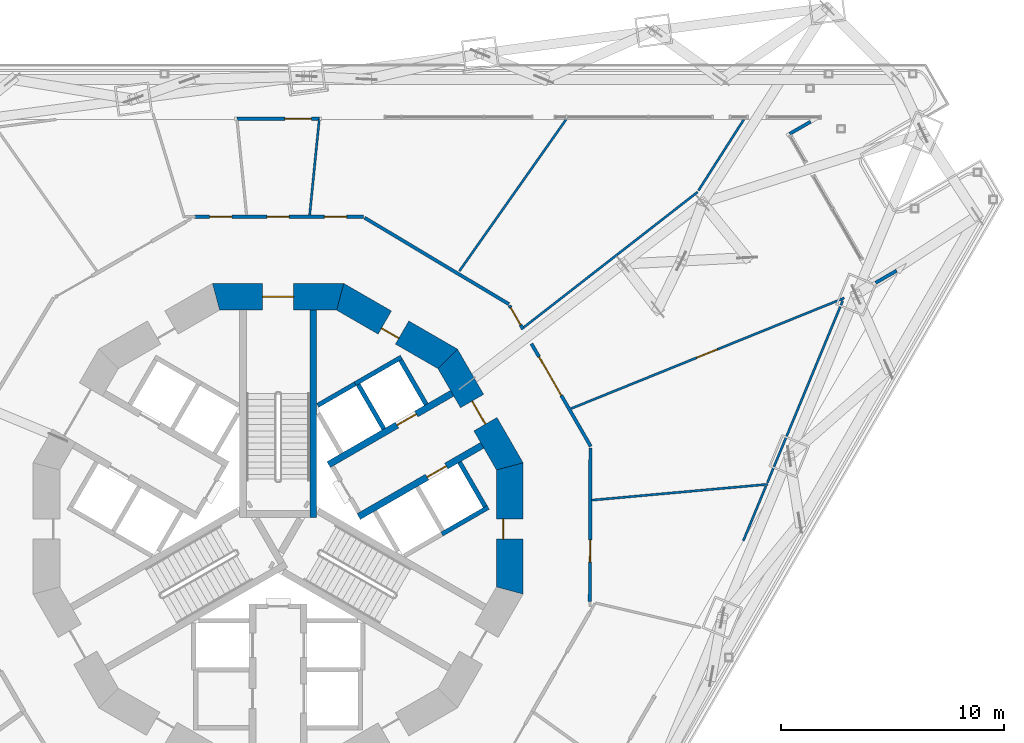
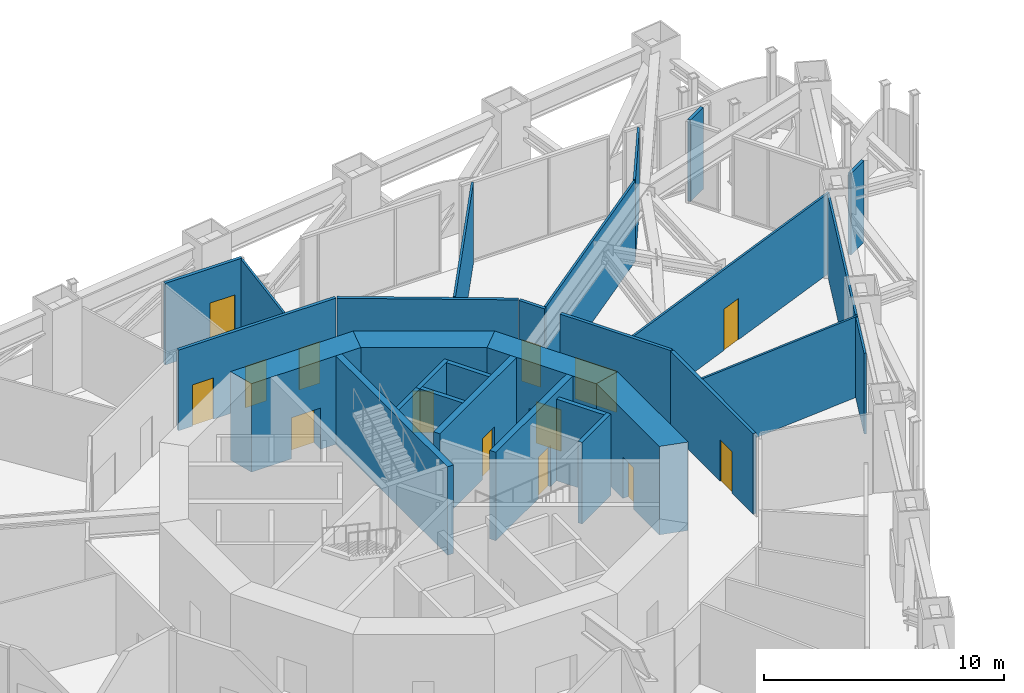
# One storey, part 16 of 28: 29 walls, 14 doors, 14 openings.
"""IFC4 building model written with IfcOpenShell, lengths in metres."""

from ifc_helpers import new_model, si_unit, direction, frame, frame_2d, origin, place, context, subcontext, project, spatial, polyline, rectangle, outline, extrude, material, layer, layer_set, type_object, element, fill, save


model = new_model("IFC4")

# Units and contexts
model_context = context("Model", 3, precision=1e-05, world=origin(), true_north=direction((0.0, 1.0)))
body_context = subcontext(model_context, "Body", "Model", "MODEL_VIEW")
ifc_project = project(units=[si_unit("LENGTHUNIT", "METRE"), si_unit("AREAUNIT", "SQUARE_METRE"), si_unit("VOLUMEUNIT", "CUBIC_METRE"), si_unit("PLANEANGLEUNIT", "RADIAN"), si_unit("MASSUNIT", "GRAM", prefix="KILO")], contexts=[model_context])

# Site, building, storey
site_placement = place(None, origin())
site = spatial("IfcSite", under=ifc_project, at=site_placement, CompositionType="ELEMENT")
building_placement = place(site_placement, origin())
building = spatial("IfcBuilding", under=site, at=building_placement, Name="Trine Commons Tower", CompositionType="ELEMENT")
storey_placement = place(building_placement, frame((0.0, 0.0, 45.89990234375)))
storey = spatial("IfcBuildingStorey", under=building, at=storey_placement, Name="L10", CompositionType="ELEMENT", Elevation=45.89990234375)

# Wall, openings, doors
ifc_material_1 = material(Name="Plasterboard on steel stud", Category="steel")
ifc_layer_1 = layer(ifc_material_1, 0.14990234375)
ifc_layer_set_1 = layer_set([ifc_layer_1], Name="Plasterboard on steel stud")
wall_type_1 = type_object("IfcWallType", Name="Compartment wall 150 mm, EI 60", PredefinedType="PARTITIONING", material=ifc_layer_set_1)
wall_1_placement = place(storey_placement, frame((76.24560546875, 76.511474609375, 0.0), z_axis=(0.0, 0.0, 1.0), x_axis=(1.0, 0.0, 0.0)))
wall_1 = element("IfcWall", 1, at=wall_1_placement, inside=storey, type_object=wall_type_1, Name="Partition A10033", PredefinedType="PARTITIONING", context=body_context, shape_type="SweptSolid", body=[
    extrude(rectangle(XDim=7.583740234375, YDim=0.14990234375, at=frame_2d((3.7919921875, 0.0))), origin(), (0.0, 0.0, 1.0), 4.10009765625),
])
opening_1_placement = place(wall_1_placement, frame((0.67236328125, 0.0, 0.0)))
opening_1 = element("IfcOpeningElement", 2, at=opening_1_placement, cuts=wall_1, Name="Opening D-A1009", PredefinedType="OPENING", context=body_context, shape_type="SweptSolid", body=[
    extrude(rectangle(XDim=1.0, YDim=2.10009765625, at=frame_2d((0.5, 1.050048828125))), frame((0.0, 0.0849609375, 0.0), z_axis=(0.0, -1.0, 0.0), x_axis=(1.0, 0.0, 0.0)), (0.0, 0.0, 1.0), 0.169921875),
])
opening_2_placement = place(wall_1_placement, frame((3.254150390625, 0.0, 0.0)))
opening_2 = element("IfcOpeningElement", 3, at=opening_2_placement, cuts=wall_1, Name="Opening D-A1010", PredefinedType="OPENING", context=body_context, shape_type="SweptSolid", body=[
    extrude(rectangle(XDim=1.0, YDim=2.10009765625, at=frame_2d((0.5, 1.050048828125))), frame((0.0, 0.0849609375, 0.0), z_axis=(0.0, -1.0, 0.0), x_axis=(1.0, 0.0, 0.0)), (0.0, 0.0, 1.0), 0.169921875),
])
opening_3_placement = place(wall_1_placement, frame((5.836181640625, 0.0, 0.0)))
opening_3 = element("IfcOpeningElement", 4, at=opening_3_placement, cuts=wall_1, Name="Opening D-A1011", PredefinedType="OPENING", context=body_context, shape_type="SweptSolid", body=[
    extrude(rectangle(XDim=1.0, YDim=2.10009765625, at=frame_2d((0.5, 1.050048828125))), frame((0.0, 0.0849609375, 0.0), z_axis=(0.0, -1.0, 0.0), x_axis=(1.0, 0.0, 0.0)), (0.0, 0.0, 1.0), 0.169921875),
])
ifc_material_2 = material(Name="Timber fire door set", Category="wood")
door_type_1 = type_object("IfcDoorType", Name="Single swing door 1000x2100, FD30S", OperationType="SINGLE_SWING_LEFT", PredefinedType="DOOR", material=ifc_material_2)
door_1_placement = place(opening_1_placement, origin())
door_1 = element("IfcDoor", 5, at=door_1_placement, inside=storey, type_object=door_type_1, Name="Door D-A1009", OperationType="SINGLE_SWING_LEFT", OverallHeight=2.10009765625, OverallWidth=1.0, PredefinedType="DOOR", context=body_context, shape_type="SweptSolid", body=[
    extrude(rectangle(XDim=1.0, YDim=2.10009765625, at=frame_2d((0.5, 1.050048828125))), frame((0.0, 0.02490234375, 0.0), z_axis=(0.0, -1.0, 0.0), x_axis=(1.0, 0.0, 0.0)), (0.0, 0.0, 1.0), 0.050048828125),
])
fill(opening_1, door_1)
door_2_placement = place(opening_2_placement, origin())
door_2 = element("IfcDoor", 6, at=door_2_placement, inside=storey, type_object=door_type_1, Name="Door D-A1010", OperationType="SINGLE_SWING_LEFT", OverallHeight=2.10009765625, OverallWidth=1.0, PredefinedType="DOOR", context=body_context, shape_type="SweptSolid", body=[
    extrude(rectangle(XDim=1.0, YDim=2.10009765625, at=frame_2d((0.5, 1.050048828125))), frame((0.0, 0.02490234375, 0.0), z_axis=(0.0, -1.0, 0.0), x_axis=(1.0, 0.0, 0.0)), (0.0, 0.0, 1.0), 0.050048828125),
])
fill(opening_2, door_2)
door_3_placement = place(opening_3_placement, origin())
door_3 = element("IfcDoor", 7, at=door_3_placement, inside=storey, type_object=door_type_1, Name="Door D-A1011", OperationType="SINGLE_SWING_LEFT", OverallHeight=2.10009765625, OverallWidth=1.0, PredefinedType="DOOR", context=body_context, shape_type="SweptSolid", body=[
    extrude(rectangle(XDim=1.0, YDim=2.10009765625, at=frame_2d((0.5, 1.050048828125))), frame((0.0, 0.02490234375, 0.0), z_axis=(0.0, -1.0, 0.0), x_axis=(1.0, 0.0, 0.0)), (0.0, 0.0, 1.0), 0.050048828125),
])
fill(opening_3, door_3)

# Wall
wall_2_placement = place(storey_placement, frame((83.883056640625, 76.466552734375, 0.0), z_axis=(0.0, 0.0, 1.0), x_axis=(0.857959606998, -0.513717152488, 0.0)))
element("IfcWall", 8, at=wall_2_placement, inside=storey, type_object=wall_type_1, Name="Partition A10044", PredefinedType="PARTITIONING", context=body_context, shape_type="SweptSolid", body=[
    extrude(rectangle(XDim=7.564453125, YDim=0.14990234375, at=frame_2d((3.7822265625, 0.0))), origin(), (0.0, 0.0, 1.0), 4.10009765625),
])

# Wall, opening, door
wall_3_placement = place(storey_placement, frame((91.01025390625, 71.452880859375, 0.0), z_axis=(0.0, 0.0, 1.0), x_axis=(-0.500015484165, 0.866016463813, 0.0)))
wall_3 = element("IfcWall", 9, at=wall_3_placement, inside=storey, type_object=wall_type_1, Name="Partition A10053", PredefinedType="PARTITIONING", context=body_context, shape_type="SweptSolid", body=[
    extrude(rectangle(XDim=1.22607421875, YDim=0.14990234375, at=frame_2d((0.613037109375, 0.0))), origin(), (0.0, 0.0, 1.0), 4.10009765625),
])
opening_4_placement = place(wall_3_placement, frame((0.22607421875, 0.0, 0.0)))
opening_4 = element("IfcOpeningElement", 10, at=opening_4_placement, cuts=wall_3, Name="Opening D-A1016", PredefinedType="OPENING", context=body_context, shape_type="SweptSolid", body=[
    extrude(rectangle(XDim=0.89990234375, YDim=2.10009765625, at=frame_2d((0.449951171875, 1.050048828125))), frame((0.0, 0.0849609375, 0.0), z_axis=(0.0, -1.0, 0.0), x_axis=(1.0, 0.0, 0.0)), (0.0, 0.0, 1.0), 0.169921875),
])
door_type_2 = type_object("IfcDoorType", Name="Double swing door 900x2100, FD30S", OperationType="DOUBLE_DOOR_DOUBLE_SWING", PredefinedType="DOOR", material=ifc_material_2)
door_4_placement = place(opening_4_placement, origin())
door_4 = element("IfcDoor", 11, at=door_4_placement, inside=storey, type_object=door_type_2, Name="Door D-A1016", OperationType="DOUBLE_DOOR_DOUBLE_SWING", OverallHeight=2.10009765625, OverallWidth=0.89990234375, PredefinedType="DOOR", context=body_context, shape_type="SweptSolid", body=[
    extrude(rectangle(XDim=0.89990234375, YDim=2.10009765625, at=frame_2d((0.449951171875, 1.050048828125))), frame((0.0, 0.02490234375, 0.0), z_axis=(0.0, -1.0, 0.0), x_axis=(1.0, 0.0, 0.0)), (0.0, 0.0, 1.0), 0.050048828125),
])
fill(opening_4, door_4)

wall_4_placement = place(storey_placement, frame((94.049072265625, 66.189453125, 0.0), z_axis=(0.0, 0.0, 1.0), x_axis=(-0.500006636387, 0.866021572231, 0.0)))
wall_4 = element("IfcWall", 12, at=wall_4_placement, inside=storey, type_object=wall_type_1, Name="Partition A10055", PredefinedType="PARTITIONING", context=body_context, shape_type="SweptSolid", body=[
    extrude(rectangle(XDim=5.32958984375, YDim=0.14990234375, at=frame_2d((2.664794921875, 0.0))), origin(), (0.0, 0.0, 1.0), 4.10009765625),
])
opening_5_placement = place(wall_4_placement, frame((2.6474609375, 0.0, 0.0)))
opening_5 = element("IfcOpeningElement", 13, at=opening_5_placement, cuts=wall_4, Name="Opening D-A1017", PredefinedType="OPENING", context=body_context, shape_type="SweptSolid", body=[
    extrude(rectangle(XDim=2.0, YDim=2.10009765625, at=frame_2d((1.0, 1.050048828125))), frame((0.0, 0.0849609375, 0.0), z_axis=(0.0, -1.0, 0.0), x_axis=(1.0, 0.0, 0.0)), (0.0, 0.0, 1.0), 0.169921875),
])
door_type_3 = type_object("IfcDoorType", Name="Double swing door 2000x2100, FD30S", OperationType="DOUBLE_DOOR_DOUBLE_SWING", PredefinedType="DOOR", material=ifc_material_2)
door_5_placement = place(opening_5_placement, origin())
door_5 = element("IfcDoor", 14, at=door_5_placement, inside=storey, type_object=door_type_3, Name="Door D-A1017", OperationType="DOUBLE_DOOR_DOUBLE_SWING", OverallHeight=2.10009765625, OverallWidth=2.0, PredefinedType="DOOR", context=body_context, shape_type="SweptSolid", body=[
    extrude(rectangle(XDim=2.0, YDim=2.10009765625, at=frame_2d((1.0, 1.050048828125))), frame((0.0, 0.02490234375, 0.0), z_axis=(0.0, -1.0, 0.0), x_axis=(1.0, 0.0, 0.0)), (0.0, 0.0, 1.0), 0.050048828125),
])
fill(opening_5, door_5)

wall_5_placement = place(storey_placement, frame((94.037109375, 66.120361328125, 0.0), z_axis=(0.0, 0.0, 1.0), x_axis=(-0.003710615159, -0.999993115644, 0.0)))
wall_5 = element("IfcWall", 15, at=wall_5_placement, inside=storey, type_object=wall_type_1, Name="Partition A10060", PredefinedType="PARTITIONING", context=body_context, shape_type="SweptSolid", body=[
    extrude(rectangle(XDim=6.908447265625, YDim=0.14990234375, at=frame_2d((3.4541015625, 0.0))), origin(), (0.0, 0.0, 1.0), 4.10009765625),
])
opening_6_placement = place(wall_5_placement, frame((4.132568359375, 0.0, 0.0)))
opening_6 = element("IfcOpeningElement", 16, at=opening_6_placement, cuts=wall_5, Name="Opening D-A1020", PredefinedType="OPENING", context=body_context, shape_type="SweptSolid", body=[
    extrude(rectangle(XDim=1.0, YDim=2.10009765625, at=frame_2d((0.5, 1.050048828125))), frame((0.0, 0.0849609375, 0.0), z_axis=(0.0, -1.0, 0.0), x_axis=(1.0, 0.0, 0.0)), (0.0, 0.0, 1.0), 0.169921875),
])
door_6_placement = place(opening_6_placement, origin())
door_6 = element("IfcDoor", 17, at=door_6_placement, inside=storey, type_object=door_type_1, Name="Door D-A1020", OperationType="SINGLE_SWING_LEFT", OverallHeight=2.10009765625, OverallWidth=1.0, PredefinedType="DOOR", context=body_context, shape_type="SweptSolid", body=[
    extrude(rectangle(XDim=1.0, YDim=2.10009765625, at=frame_2d((0.5, 1.050048828125))), frame((0.0, 0.02490234375, 0.0), z_axis=(0.0, -1.0, 0.0), x_axis=(1.0, 0.0, 0.0)), (0.0, 0.0, 1.0), 0.050048828125),
])
fill(opening_6, door_6)

ifc_material_3 = material(Name="Aluminium-framed insulated wall panel", Category="aluminium")
ifc_layer_2 = layer(ifc_material_3, 0.14990234375)
ifc_layer_set_2 = layer_set([ifc_layer_2], Name="Aluminium-framed insulated wall panel")
wall_type_2 = type_object("IfcWallType", Name="Glazed entrance wall 150, EI 60", PredefinedType="SOLIDWALL", material=ifc_layer_set_2)
wall_6_placement = place(storey_placement, frame((78.150390625, 80.919677734375, 0.0), z_axis=(0.0, 0.0, 1.0), x_axis=(1.0, 0.0, 0.0)))
wall_6 = element("IfcWall", 18, at=wall_6_placement, inside=storey, type_object=wall_type_2, Name="Glazed entrance wall L10 F1 7", PredefinedType="SOLIDWALL", context=body_context, shape_type="SweptSolid", body=[
    extrude(rectangle(XDim=3.69873046875, YDim=0.14990234375, at=frame_2d((1.849365234375, 0.0))), origin(), (0.0, 0.0, 1.0), 4.150146484375),
])
opening_7_placement = place(wall_6_placement, frame((2.1494140625, 0.0, 0.0)))
opening_7 = element("IfcOpeningElement", 19, at=opening_7_placement, cuts=wall_6, Name="Opening SD-L10-F1-07", PredefinedType="OPENING", context=body_context, shape_type="SweptSolid", body=[
    extrude(rectangle(XDim=1.199951171875, YDim=2.39990234375, at=frame_2d((0.60009765625, 1.199951171875))), frame((0.0, 0.0849609375, 0.0), z_axis=(0.0, -1.0, 0.0), x_axis=(1.0, 0.0, 0.0)), (0.0, 0.0, 1.0), 0.169921875),
])
ifc_material_4 = material(Name="Anodised aluminium frame with double glazing", Category="aluminium")
door_type_4 = type_object("IfcDoorType", Name="Sliding door 1200x2400", OperationType="SLIDING_TO_LEFT", PredefinedType="DOOR", material=ifc_material_4)
door_7_placement = place(opening_7_placement, origin())
door_7 = element("IfcDoor", 20, at=door_7_placement, inside=storey, type_object=door_type_4, Name="Loggia door L10 F1 7", OperationType="SLIDING_TO_LEFT", OverallHeight=2.39990234375, OverallWidth=1.199951171875, PredefinedType="DOOR", context=body_context, shape_type="SweptSolid", body=[
    extrude(rectangle(XDim=1.199951171875, YDim=2.39990234375, at=frame_2d((0.60009765625, 1.199951171875))), frame((0.0, 0.02490234375, 0.0), z_axis=(0.0, -1.0, 0.0), x_axis=(1.0, 0.0, 0.0)), (0.0, 0.0, 1.0), 0.050048828125),
])
fill(opening_7, door_7)

# Walls
ifc_layer_3 = layer(ifc_material_3, 0.14990234375)
ifc_layer_set_3 = layer_set([ifc_layer_3], Name="Aluminium-framed insulated wall panel")
wall_type_3 = type_object("IfcWallType", Name="Glazed frame wall 150, EI 60", PredefinedType="SOLIDWALL", material=ifc_layer_set_3)
wall_7_placement = place(storey_placement, frame((104.060546875, 80.854248046875, 0.0), z_axis=(0.0, 0.0, 1.0), x_axis=(-0.86606770004, -0.49992673358, 0.0)))
element("IfcWall", 21, at=wall_7_placement, inside=storey, type_object=wall_type_3, Name="Glazed frame wall L10 R5", PredefinedType="SOLIDWALL", context=body_context, shape_type="SweptSolid", body=[
    extrude(outline(polyline([(0.1494140625, 0.074951171875), (0.1494140625, -0.074951171875), (1.235107421875, -0.074951171875), (1.235107421875, 0.074951171875), (0.1494140625, 0.074951171875)])), origin(), (0.0, 0.0, 1.0), 4.150146484375),
])
wall_8_placement = place(storey_placement, frame((106.7607421875, 73.4873046875, 0.0), z_axis=(0.0, 0.0, 1.0), x_axis=(0.865989100438, 0.500062873969, 0.0)))
element("IfcWall", 22, at=wall_8_placement, inside=storey, type_object=wall_type_3, Name="Glazed frame wall L10 R7", PredefinedType="SOLIDWALL", context=body_context, shape_type="SweptSolid", body=[
    extrude(outline(polyline([(0.110107421875, 0.074951171875), (0.110107421875, -0.074951171875), (1.19580078125, -0.074951171875), (1.19580078125, 0.074951171875), (0.110107421875, 0.074951171875)])), origin(), (0.0, 0.0, 1.0), 4.150146484375),
])
ifc_layer_4 = layer(ifc_material_1, 0.10009765625)
ifc_layer_set_4 = layer_set([ifc_layer_4], Name="Plasterboard on steel stud")
wall_type_4 = type_object("IfcWallType", Name="Partition wall 100 mm stud, not rated", PredefinedType="PARTITIONING", material=ifc_layer_set_4)
wall_9_placement = place(storey_placement, frame((81.41748046875, 76.591552734375, 0.0), z_axis=(0.0, 0.0, 1.0), x_axis=(0.100041538121, 0.994983261493, 0.0)))
element("IfcWall", 23, at=wall_9_placement, inside=storey, type_object=wall_type_4, Name="Partition A10040", PredefinedType="PARTITIONING", context=body_context, shape_type="SweptSolid", body=[
    extrude(rectangle(XDim=4.314697265625, YDim=0.10009765625, at=frame_2d((2.1572265625, 0.0))), origin(), (0.0, 0.0, 1.0), 4.10009765625),
])
wall_10_placement = place(storey_placement, frame((88.145751953125, 74.06787109375, 0.0), z_axis=(0.0, 0.0, 1.0), x_axis=(0.575745809181, 0.81762874412, 0.0)))
element("IfcWall", 24, at=wall_10_placement, inside=storey, type_object=wall_type_4, Name="Partition A10048", PredefinedType="PARTITIONING", context=body_context, shape_type="SweptSolid", body=[
    extrude(rectangle(XDim=8.337158203125, YDim=0.10009765625, at=frame_2d((4.16845703125, 0.0))), origin(), (0.0, 0.0, 1.0), 4.10009765625),
])
wall_11_placement = place(storey_placement, frame((91.052001953125, 71.547607421875, 0.0), z_axis=(0.0, 0.0, 1.0), x_axis=(0.789115492838, 0.614244852614, 0.0)))
element("IfcWall", 25, at=wall_11_placement, inside=storey, type_object=wall_type_4, Name="Partition A10054", PredefinedType="PARTITIONING", context=body_context, shape_type="SweptSolid", body=[
    extrude(rectangle(XDim=9.887451171875, YDim=0.10009765625, at=frame_2d((4.94384765625, 0.0))), origin(), (0.0, 0.0, 1.0), 4.10009765625),
])

# Wall, opening, door
wall_12_placement = place(storey_placement, frame((93.163818359375, 67.88623046875, 0.0), z_axis=(0.0, 0.0, 1.0), x_axis=(0.926923003006, 0.375251577611, 0.0)))
wall_12 = element("IfcWall", 26, at=wall_12_placement, inside=storey, type_object=wall_type_4, Name="Partition A10058", PredefinedType="PARTITIONING", context=body_context, shape_type="SweptSolid", body=[
    extrude(rectangle(XDim=13.246337890625, YDim=0.10009765625, at=frame_2d((6.623046875, 0.0))), origin(), (0.0, 0.0, 1.0), 4.10009765625),
])
opening_8_placement = place(wall_12_placement, frame((6.095703125, 0.0, 0.0)))
opening_8 = element("IfcOpeningElement", 27, at=opening_8_placement, cuts=wall_12, Name="Opening D-A1019", PredefinedType="OPENING", context=body_context, shape_type="SweptSolid", body=[
    extrude(rectangle(XDim=1.0, YDim=2.10009765625, at=frame_2d((0.5, 1.050048828125))), frame((0.0, 0.06005859375, 0.0), z_axis=(0.0, -1.0, 0.0), x_axis=(1.0, 0.0, 0.0)), (0.0, 0.0, 1.0), 0.1201171875),
])
ifc_material_5 = material(Name="Painted timber", Category="wood")
door_type_5 = type_object("IfcDoorType", Name="Single swing door 1000x2100, not rated", OperationType="SINGLE_SWING_LEFT", PredefinedType="DOOR", material=ifc_material_5)
door_8_placement = place(opening_8_placement, origin())
door_8 = element("IfcDoor", 28, at=door_8_placement, inside=storey, type_object=door_type_5, Name="Door D-A1019", OperationType="SINGLE_SWING_LEFT", OverallHeight=2.10009765625, OverallWidth=1.0, PredefinedType="DOOR", context=body_context, shape_type="SweptSolid", body=[
    extrude(rectangle(XDim=1.0, YDim=2.10009765625, at=frame_2d((0.5, 1.050048828125))), frame((0.0, 0.02490234375, 0.0), z_axis=(0.0, -1.0, 0.0), x_axis=(1.0, 0.0, 0.0)), (0.0, 0.0, 1.0), 0.050048828125),
])
fill(opening_8, door_8)

# Walls
wall_13_placement = place(storey_placement, frame((94.091064453125, 63.770751953125, 0.0), z_axis=(0.0, 0.0, 1.0), x_axis=(0.995956920837, 0.089832131425, 0.0)))
element("IfcWall", 29, at=wall_13_placement, inside=storey, type_object=wall_type_4, Name="Partition A10061", PredefinedType="PARTITIONING", context=body_context, shape_type="SweptSolid", body=[
    extrude(rectangle(XDim=7.94677734375, YDim=0.10009765625, at=frame_2d((3.973388671875, 0.0))), origin(), (0.0, 0.0, 1.0), 4.10009765625),
])
wall_14_placement = place(storey_placement, frame((98.8876953125, 77.682373046875, 0.0), z_axis=(0.0, 0.0, 1.0), x_axis=(0.538318254371, 0.842741631231, 0.0)))
element("IfcWall", 30, at=wall_14_placement, inside=storey, type_object=wall_type_4, Name="Partition A10064", PredefinedType="PARTITIONING", context=body_context, shape_type="SweptSolid", body=[
    extrude(rectangle(XDim=3.79736328125, YDim=0.10009765625, at=frame_2d((1.898681640625, 0.0))), origin(), (0.0, 0.0, 1.0), 4.10009765625),
])
wall_15_placement = place(storey_placement, frame((100.9052734375, 61.943603515625, 0.0), z_axis=(0.0, 0.0, 1.0), x_axis=(0.382648667531, 0.923893931811, 0.0)))
element("IfcWall", 31, at=wall_15_placement, inside=storey, type_object=wall_type_4, Name="Partition A10065", PredefinedType="PARTITIONING", context=body_context, shape_type="SweptSolid", body=[
    extrude(rectangle(XDim=2.6630859375, YDim=0.10009765625, at=frame_2d((1.33154296875, 0.0))), origin(), (0.0, 0.0, 1.0), 4.10009765625),
])
wall_16_placement = place(storey_placement, frame((101.98828125, 64.55810546875, 0.0), z_axis=(0.0, 0.0, 1.0), x_axis=(0.382656961496, 0.92389049666, 0.0)))
element("IfcWall", 32, at=wall_16_placement, inside=storey, type_object=wall_type_4, Name="Partition A10066", PredefinedType="PARTITIONING", context=body_context, shape_type="SweptSolid", body=[
    extrude(rectangle(XDim=8.855712890625, YDim=0.10009765625, at=frame_2d((4.427734375, 0.0))), origin(), (0.0, 0.0, 1.0), 4.10009765625),
])

# Wall, opening, door
ifc_material_6 = material(Name="Concrete C80/95", Category="concrete")
ifc_layer_5 = layer(ifc_material_6, 1.199951171875)
ifc_layer_set_5 = layer_set([ifc_layer_5], Name="Concrete C80/95")
wall_type_5 = type_object("IfcWallType", Name="RC shear wall 1200 mm, C80/95", PredefinedType="SHEAR", material=ifc_layer_set_5)
wall_17_placement = place(storey_placement, frame((90.41162109375, 59.549560546875, 0.0), z_axis=(0.0, 0.0, 1.0), x_axis=(0.0, 1.0, 0.0)))
wall_17 = element("IfcWall", 33, at=wall_17_placement, inside=storey, type_object=wall_type_5, Name="Core wall CWB-01 L10", PredefinedType="SHEAR", context=body_context, shape_type="SweptSolid", body=[
    extrude(outline(polyline([(0.0, -0.60009765625), (5.90087890625, -0.60009765625), (5.57958984375, 0.60009765625), (0.321533203125, 0.60009765625), (0.0, -0.60009765625)])), origin(), (0.0, 0.0, 1.0), 4.5),
])
opening_9_placement = place(wall_17_placement, frame((2.4755859375, 0.0, 0.0)))
opening_9 = element("IfcOpeningElement", 34, at=opening_9_placement, cuts=wall_17, Name="Opening K05.16", PredefinedType="OPENING", context=body_context, shape_type="SweptSolid", body=[
    extrude(rectangle(XDim=0.89990234375, YDim=2.10009765625, at=frame_2d((0.449951171875, 1.050048828125))), frame((0.0, 0.60986328125, 0.0), z_axis=(0.0, -1.0, 0.0), x_axis=(1.0, 0.0, 0.0)), (0.0, 0.0, 1.0), 1.219970703125),
])
ifc_material_7 = material(Name="Steel door leaf, fire-rated", Category="steel")
door_type_6 = type_object("IfcDoorType", Name="Core room door, single leaf 900 x 2100, FD30S", OperationType="SINGLE_SWING_LEFT", PredefinedType="DOOR", material=ifc_material_7)
door_9_placement = place(opening_9_placement, origin())
door_9 = element("IfcDoor", 35, at=door_9_placement, inside=storey, type_object=door_type_6, Name="Door to Accessible WC L10", OperationType="SINGLE_SWING_LEFT", OverallHeight=2.10009765625, OverallWidth=0.89990234375, PredefinedType="DOOR", context=body_context, shape_type="SweptSolid", body=[
    extrude(rectangle(XDim=0.89990234375, YDim=2.10009765625, at=frame_2d((0.449951171875, 1.050048828125))), frame((0.0, 0.3251953125, 0.0), z_axis=(0.0, -1.0, 0.0), x_axis=(1.0, 0.0, 0.0)), (0.0, 0.0, 1.0), 0.050048828125),
])
fill(opening_9, door_9)

wall_18_placement = place(storey_placement, frame((90.491943359375, 65.150390625, 0.0), z_axis=(0.0, 0.0, 1.0), x_axis=(-0.499979111662, 0.866037463336, 0.0)))
wall_18 = element("IfcWall", 36, at=wall_18_placement, inside=storey, type_object=wall_type_5, Name="Core wall CWB-02 L10", PredefinedType="SHEAR", context=body_context, shape_type="SweptSolid", body=[
    extrude(outline(polyline([(0.0, -0.60009765625), (5.901123046875, -0.60009765625), (5.57958984375, 0.60009765625), (0.321533203125, 0.60009765625), (0.0, -0.60009765625)])), origin(), (0.0, 0.0, 1.0), 4.5),
])
opening_10_placement = place(wall_18_placement, frame((2.3505859375, 0.0, 0.0)))
opening_10 = element("IfcOpeningElement", 37, at=opening_10_placement, cuts=wall_18, Name="Opening K05.04", PredefinedType="OPENING", context=body_context, shape_type="SweptSolid", body=[
    extrude(rectangle(XDim=1.199951171875, YDim=2.10009765625, at=frame_2d((0.60009765625, 1.050048828125))), frame((0.0, 0.60986328125, 0.0), z_axis=(0.0, -1.0, 0.0), x_axis=(1.0, 0.0, 0.0)), (0.0, 0.0, 1.0), 1.219970703125),
])
ifc_material_8 = material(Name="Steel door leaves, fire-rated", Category="steel")
door_type_7 = type_object("IfcDoorType", Name="Lobby door, double leaf 1200 x 2100, FD60", OperationType="DOUBLE_DOOR_SINGLE_SWING", PredefinedType="DOOR", material=ifc_material_8)
door_10_placement = place(opening_10_placement, origin())
door_10 = element("IfcDoor", 38, at=door_10_placement, inside=storey, type_object=door_type_7, Name="Lobby door, Passenger lift lobby A L10", OperationType="DOUBLE_DOOR_SINGLE_SWING", OverallHeight=2.10009765625, OverallWidth=1.199951171875, PredefinedType="DOOR", context=body_context, shape_type="SweptSolid", body=[
    extrude(rectangle(XDim=1.199951171875, YDim=2.10009765625, at=frame_2d((0.60009765625, 1.050048828125))), frame((0.0, 0.02490234375, 0.0), z_axis=(0.0, -1.0, 0.0), x_axis=(1.0, 0.0, 0.0)), (0.0, 0.0, 1.0), 0.050048828125),
])
fill(opening_10, door_10)

wall_19_placement = place(storey_placement, frame((87.760986328125, 70.04150390625, 0.0), z_axis=(0.0, 0.0, 1.0), x_axis=(-0.866037463336, 0.499979111662, 0.0)))
wall_19 = element("IfcWall", 39, at=wall_19_placement, inside=storey, type_object=wall_type_5, Name="Core wall CWB-03 L10", PredefinedType="SHEAR", context=body_context, shape_type="SweptSolid", body=[
    extrude(outline(polyline([(0.0, -0.60009765625), (5.901123046875, -0.60009765625), (5.57958984375, 0.60009765625), (0.321533203125, 0.60009765625), (0.0, -0.60009765625)])), origin(), (0.0, 0.0, 1.0), 4.5),
])
opening_11_placement = place(wall_19_placement, frame((2.526611328125, 0.0, 0.0)))
opening_11 = element("IfcOpeningElement", 40, at=opening_11_placement, cuts=wall_19, Name="Opening K05.11", PredefinedType="OPENING", context=body_context, shape_type="SweptSolid", body=[
    extrude(rectangle(XDim=0.89990234375, YDim=2.10009765625, at=frame_2d((0.449951171875, 1.050048828125))), frame((0.0, 0.60986328125, 0.0), z_axis=(0.0, -1.0, 0.0), x_axis=(1.0, 0.0, 0.0)), (0.0, 0.0, 1.0), 1.219970703125),
])
door_11_placement = place(opening_11_placement, origin())
door_11 = element("IfcDoor", 41, at=door_11_placement, inside=storey, type_object=door_type_6, Name="Door to Core WC L10", OperationType="SINGLE_SWING_RIGHT", OverallHeight=2.10009765625, OverallWidth=0.89990234375, PredefinedType="DOOR", context=body_context, shape_type="SweptSolid", body=[
    extrude(rectangle(XDim=0.89990234375, YDim=2.10009765625, at=frame_2d((0.449951171875, 1.050048828125))), frame((0.0, 0.3251953125, 0.0), z_axis=(0.0, -1.0, 0.0), x_axis=(1.0, 0.0, 0.0)), (0.0, 0.0, 1.0), 0.050048828125),
])
fill(opening_11, door_11)

wall_20_placement = place(storey_placement, frame((82.950439453125, 72.91162109375, 0.0), z_axis=(0.0, 0.0, 1.0), x_axis=(-1.0, 0.0, 0.0)))
wall_20 = element("IfcWall", 42, at=wall_20_placement, inside=storey, type_object=wall_type_5, Name="Core wall CWB-04 L10", PredefinedType="SHEAR", context=body_context, shape_type="SweptSolid", body=[
    extrude(outline(polyline([(0.0, -0.60009765625), (5.90087890625, -0.60009765625), (5.57958984375, 0.60009765625), (0.321533203125, 0.60009765625), (0.0, -0.60009765625)])), origin(), (0.0, 0.0, 1.0), 4.5),
])
opening_12_placement = place(wall_20_placement, frame((2.25048828125, 0.0, 0.0)))
opening_12 = element("IfcOpeningElement", 43, at=opening_12_placement, cuts=wall_20, Name="Opening K05.01", PredefinedType="OPENING", context=body_context, shape_type="SweptSolid", body=[
    extrude(rectangle(XDim=1.39990234375, YDim=2.10009765625, at=frame_2d((0.699951171875, 1.050048828125))), frame((0.0, 0.60986328125, 0.0), z_axis=(0.0, -1.0, 0.0), x_axis=(1.0, 0.0, 0.0)), (0.0, 0.0, 1.0), 1.219970703125),
])
door_type_8 = type_object("IfcDoorType", Name="Stair door, double leaf 1400 x 2100, FD90", OperationType="DOUBLE_DOOR_SINGLE_SWING", PredefinedType="DOOR", material=ifc_material_8)
door_12_placement = place(opening_12_placement, origin())
door_12 = element("IfcDoor", 44, at=door_12_placement, inside=storey, type_object=door_type_8, Name="Stair door to Exit stair ST1A L10", OperationType="DOUBLE_DOOR_SINGLE_SWING", OverallHeight=2.10009765625, OverallWidth=1.39990234375, PredefinedType="DOOR", context=body_context, shape_type="SweptSolid", body=[
    extrude(rectangle(XDim=1.39990234375, YDim=2.10009765625, at=frame_2d((0.699951171875, 1.050048828125))), frame((0.0, 0.02490234375, 0.0), z_axis=(0.0, -1.0, 0.0), x_axis=(1.0, 0.0, 0.0)), (0.0, 0.0, 1.0), 0.050048828125),
])
fill(opening_12, door_12)

ifc_layer_6 = layer(ifc_material_6, 0.300048828125)
ifc_layer_set_6 = layer_set([ifc_layer_6], Name="Concrete C80/95")
wall_type_6 = type_object("IfcWallType", Name="RC shear wall 300 mm, C80/95", PredefinedType="SHEAR", material=ifc_layer_set_6)
wall_21_placement = place(storey_placement, frame((82.26904296875, 65.368896484375, 0.0), z_axis=(0.0, 0.0, 1.0), x_axis=(0.866022631842, 0.500004801114, 0.0)))
wall_21 = element("IfcWall", 45, at=wall_21_placement, inside=storey, type_object=wall_type_6, Name="Core cross wall SWA-05 L10", PredefinedType="SHEAR", context=body_context, shape_type="SweptSolid", body=[
    extrude(rectangle(XDim=6.412109375, YDim=0.300048828125, at=frame_2d((3.2060546875, 0.0))), origin(), (0.0, 0.0, 1.0), 4.5),
])
opening_13_placement = place(wall_21_placement, frame((3.55029296875, 0.0, 0.0)))
opening_13 = element("IfcOpeningElement", 46, at=opening_13_placement, cuts=wall_21, Name="Opening LD1", PredefinedType="OPENING", context=body_context, shape_type="SweptSolid", body=[
    extrude(rectangle(XDim=1.0, YDim=2.10009765625, at=frame_2d((0.5, 1.050048828125))), frame((0.0, 0.159912109375, 0.0), z_axis=(0.0, -1.0, 0.0), x_axis=(1.0, 0.0, 0.0)), (0.0, 0.0, 1.0), 0.320068359375),
])
ifc_material_9 = material(Name="Stainless steel sliding door leaves", Category="steel")
door_type_9 = type_object("IfcDoorType", Name="Lift landing door, centre-opening sliding 1000 x 2100, FD90", OperationType="DOUBLE_DOOR_SLIDING", PredefinedType="DOOR", material=ifc_material_9)
door_13_placement = place(opening_13_placement, origin())
door_13 = element("IfcDoor", 47, at=door_13_placement, inside=storey, type_object=door_type_9, Name="Lift landing door LR1 L10", OperationType="DOUBLE_DOOR_SLIDING", OverallHeight=2.10009765625, OverallWidth=1.0, PredefinedType="DOOR", context=body_context, shape_type="SweptSolid", body=[
    extrude(rectangle(XDim=1.0, YDim=2.10009765625, at=frame_2d((0.5, 1.050048828125))), frame((0.0, 0.02490234375, 0.0), z_axis=(0.0, -1.0, 0.0), x_axis=(1.0, 0.0, 0.0)), (0.0, 0.0, 1.0), 0.050048828125),
])
fill(opening_13, door_13)

wall_22_placement = place(storey_placement, frame((83.618896484375, 63.031005859375, 0.0), z_axis=(0.0, 0.0, 1.0), x_axis=(0.866032150378, 0.499988314375, 0.0)))
wall_22 = element("IfcWall", 48, at=wall_22_placement, inside=storey, type_object=wall_type_6, Name="Core cross wall SWA-06 L10", PredefinedType="SHEAR", context=body_context, shape_type="SweptSolid", body=[
    extrude(rectangle(XDim=6.412353515625, YDim=0.300048828125, at=frame_2d((3.2060546875, 0.0))), origin(), (0.0, 0.0, 1.0), 4.5),
])
opening_14_placement = place(wall_22_placement, frame((3.55029296875, 0.0, 0.0)))
opening_14 = element("IfcOpeningElement", 49, at=opening_14_placement, cuts=wall_22, Name="Opening LD2", PredefinedType="OPENING", context=body_context, shape_type="SweptSolid", body=[
    extrude(rectangle(XDim=1.0, YDim=2.10009765625, at=frame_2d((0.5, 1.050048828125))), frame((0.0, 0.159912109375, 0.0), z_axis=(0.0, -1.0, 0.0), x_axis=(1.0, 0.0, 0.0)), (0.0, 0.0, 1.0), 0.320068359375),
])
door_14_placement = place(opening_14_placement, origin())
door_14 = element("IfcDoor", 50, at=door_14_placement, inside=storey, type_object=door_type_9, Name="Lift landing door LR2 L10", OperationType="DOUBLE_DOOR_SLIDING", OverallHeight=2.10009765625, OverallWidth=1.0, PredefinedType="DOOR", context=body_context, shape_type="SweptSolid", body=[
    extrude(rectangle(XDim=1.0, YDim=2.10009765625, at=frame_2d((0.5, 1.050048828125))), frame((0.0, 0.02490234375, 0.0), z_axis=(0.0, -1.0, 0.0), x_axis=(1.0, 0.0, 0.0)), (0.0, 0.0, 1.0), 0.050048828125),
])
fill(opening_14, door_14)

# Walls
wall_23_placement = place(storey_placement, frame((81.574951171875, 63.0009765625, 0.0), z_axis=(0.0, 0.0, 1.0), x_axis=(0.0, 1.0, 0.0)))
element("IfcWall", 51, at=wall_23_placement, inside=storey, type_object=wall_type_6, Name="Core cross wall SWA-17 L10", PredefinedType="SHEAR", context=body_context, shape_type="SweptSolid", body=[
    extrude(rectangle(XDim=9.31103515625, YDim=0.300048828125, at=frame_2d((4.655517578125, 0.0))), origin(), (0.0, 0.0, 1.0), 4.5),
])
ifc_material_10 = material(Name="Fire-rated gypsum shaft wall system")
ifc_layer_7 = layer(ifc_material_10, 0.199951171875)
ifc_layer_set_7 = layer_set([ifc_layer_7], Name="Fire-rated gypsum shaft wall system")
wall_type_7 = type_object("IfcWallType", Name="Shaft wall 200 mm, EI 120", PredefinedType="PARTITIONING", material=ifc_layer_set_7)
wall_24_placement = place(storey_placement, frame((81.77490234375, 68.028076171875, 0.0), z_axis=(0.0, 0.0, 1.0), x_axis=(0.866052014814, 0.499953905513, 0.0)))
element("IfcWall", 52, at=wall_24_placement, inside=storey, type_object=wall_type_7, Name="Shaft wall L10", PredefinedType="PARTITIONING", context=body_context, shape_type="SweptSolid", body=[
    extrude(rectangle(XDim=1.947998046875, YDim=0.199951171875, at=frame_2d((0.97412109375, 0.0))), origin(), (0.0, 0.0, 1.0), 4.150146484375),
])
wall_25_placement = place(storey_placement, frame((83.4619140625, 69.001953125, 0.0), z_axis=(0.0, 0.0, 1.0), x_axis=(0.866202511239, 0.499693115345, 0.0)))
element("IfcWall", 53, at=wall_25_placement, inside=storey, type_object=wall_type_7, Name="Shaft wall L10", PredefinedType="PARTITIONING", context=body_context, shape_type="SweptSolid", body=[
    extrude(rectangle(XDim=2.4013671875, YDim=0.199951171875, at=frame_2d((1.20068359375, 0.0))), origin(), (0.0, 0.0, 1.0), 4.150146484375),
])
wall_26_placement = place(storey_placement, frame((84.7490234375, 66.97412109375, 0.0), z_axis=(0.0, 0.0, 1.0), x_axis=(-0.500136062276, 0.86594683394, 0.0)))
element("IfcWall", 54, at=wall_26_placement, inside=storey, type_object=wall_type_7, Name="Shaft wall L10", PredefinedType="PARTITIONING", context=body_context, shape_type="SweptSolid", body=[
    extrude(rectangle(XDim=2.299072265625, YDim=0.199951171875, at=frame_2d((1.1494140625, 0.0))), origin(), (0.0, 0.0, 1.0), 4.150146484375),
])
wall_27_placement = place(storey_placement, frame((86.655029296875, 68.073974609375, 0.0), z_axis=(0.0, 0.0, 1.0), x_axis=(-0.500215680983, 0.865900844496, 0.0)))
element("IfcWall", 55, at=wall_27_placement, inside=storey, type_object=wall_type_7, Name="Shaft wall L10", PredefinedType="PARTITIONING", context=body_context, shape_type="SweptSolid", body=[
    extrude(rectangle(XDim=2.29931640625, YDim=0.199951171875, at=frame_2d((1.149658203125, 0.0))), origin(), (0.0, 0.0, 1.0), 4.150146484375),
])
wall_28_placement = place(storey_placement, frame((87.362060546875, 62.248046875, 0.0), z_axis=(0.0, 0.0, 1.0), x_axis=(0.866177122335, 0.499737123639, 0.0)))
element("IfcWall", 56, at=wall_28_placement, inside=storey, type_object=wall_type_7, Name="Shaft wall L10", PredefinedType="PARTITIONING", context=body_context, shape_type="SweptSolid", body=[
    extrude(rectangle(XDim=2.401123046875, YDim=0.199951171875, at=frame_2d((1.20068359375, 0.0))), origin(), (0.0, 0.0, 1.0), 4.150146484375),
])
wall_29_placement = place(storey_placement, frame((88.155029296875, 65.47607421875, 0.0), z_axis=(0.0, 0.0, 1.0), x_axis=(0.500136062276, -0.86594683394, 0.0)))
element("IfcWall", 57, at=wall_29_placement, inside=storey, type_object=wall_type_7, Name="Shaft wall L10", PredefinedType="PARTITIONING", context=body_context, shape_type="SweptSolid", body=[
    extrude(rectangle(XDim=2.299072265625, YDim=0.199951171875, at=frame_2d((1.1494140625, 0.0))), origin(), (0.0, 0.0, 1.0), 4.150146484375),
])

save(model, "model.ifc")
